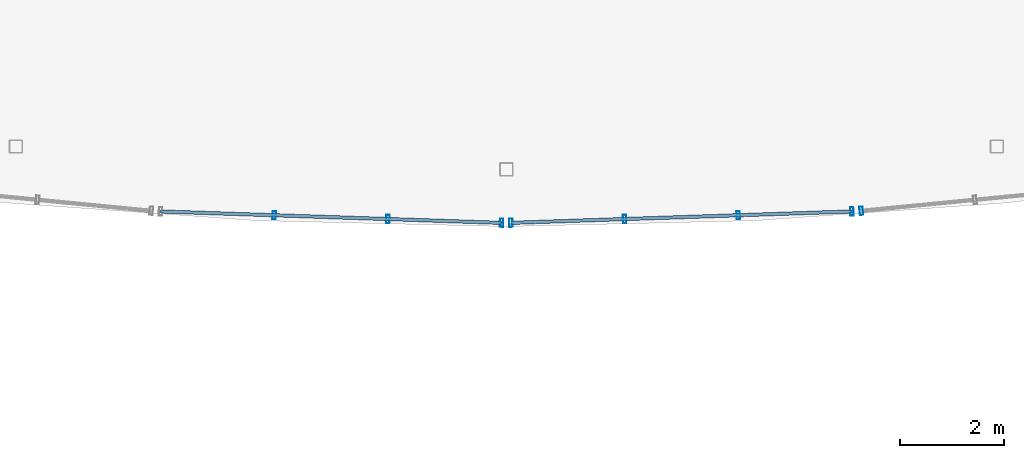
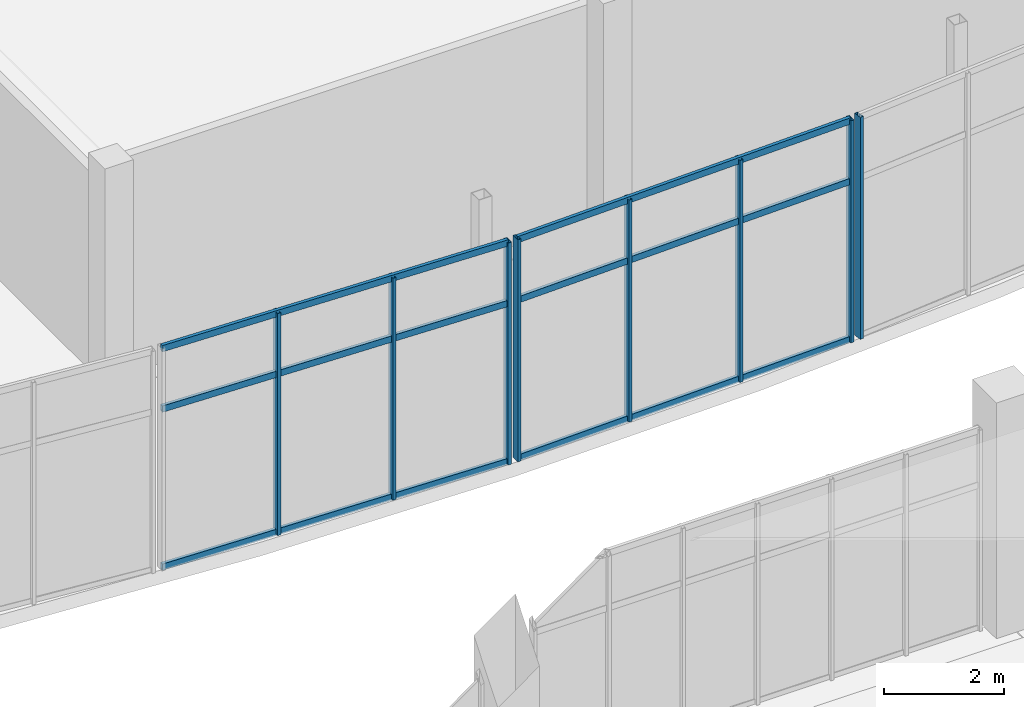
# One storey, part 81 of 157: 14 members, 3 elements without a shape of their own.
"""IFC4 building model written with IfcOpenShell, lengths in metres."""

from ifc_helpers import new_model, si_unit, direction, frame, origin, origin_2d, place, context, subcontext, project, spatial, hollow_rectangle, extrude, material, layer, layer_set, material_profile, profile_set, type_object, element, aggregate, save


model = new_model("IFC4")

# Units and contexts
model_context = context("Model", 3, precision=1e-05, world=origin(), true_north=direction((0.0, 1.0)))
body_context = subcontext(model_context, "Body", "Model", "MODEL_VIEW")
ifc_project = project(units=[si_unit("LENGTHUNIT", "METRE"), si_unit("AREAUNIT", "SQUARE_METRE"), si_unit("VOLUMEUNIT", "CUBIC_METRE"), si_unit("PLANEANGLEUNIT", "RADIAN"), si_unit("MASSUNIT", "GRAM", prefix="KILO")], contexts=[model_context])

# Site, building, storey
site_placement = place(None, origin())
site = spatial("IfcSite", under=ifc_project, at=site_placement, CompositionType="ELEMENT")
building_placement = place(site_placement, origin())
building = spatial("IfcBuilding", under=site, at=building_placement, Name="Chalmorin Arch Market", CompositionType="ELEMENT")
storey_placement = place(building_placement, frame((0.0, 0.0, 4.800048828125)))
storey = spatial("IfcBuildingStorey", under=building, at=storey_placement, Name="L01", CompositionType="ELEMENT", Elevation=4.800048828125)

# Curtain wall, members
ifc_material = material(Name="Aluminium 6063-T6", Category="aluminium")
ifc_layer_1 = layer(ifc_material, 0.159912109375)
ifc_layer_set_1 = layer_set([ifc_layer_1], Name="Aluminium 6063-T6")
curtain_wall_type_1 = type_object("IfcCurtainWallType", Name="CulinaryStudioCurtainWall-CW3-6540x4520", PredefinedType="NOTDEFINED", material=ifc_layer_set_1)
curtain_wall_1_placement = place(storey_placement, origin())
curtain_wall_1 = element("IfcCurtainWall", 1, at=curtain_wall_1_placement, inside=storey, type_object=curtain_wall_type_1, Name="CW-03-162", PredefinedType="NOTDEFINED")
ifc_material_profile_1 = material_profile(ifc_material, hollow_rectangle(XDim=0.06494140625, YDim=0.159912109375, WallThickness=0.00390625, at=origin_2d()), Name="ALU65X160X4")
ifc_profile_set_1 = profile_set([ifc_material_profile_1], Name="Aluminium 6063-T6")
member_type_1 = type_object("IfcMemberType", Name="CurtainWallMullion-65x160", PredefinedType="MULLION", material=ifc_profile_set_1)
member_1_placement = place(storey_placement, frame((77.14990234375, 67.069091796875, 0.0), z_axis=(0.0, 0.0, 1.0), x_axis=(0.999390827019, -0.034899496703, 0.0)))
member_1 = element("IfcMember", 2, at=member_1_placement, type_object=member_type_1, Name="ML-162-02", PredefinedType="MULLION", context=body_context, shape_type="SweptSolid", body=[
    extrude(hollow_rectangle(XDim=0.06494140625, YDim=0.159912109375, WallThickness=0.00390625, at=origin_2d()), origin(), (0.0, 0.0, 1.0), 4.52001953125),
])
member_2_placement = place(storey_placement, frame((79.330078125, 66.99609375, 0.0), z_axis=(0.0, 0.0, 1.0), x_axis=(0.999390827019, -0.034899496703, 0.0)))
member_2 = element("IfcMember", 3, at=member_2_placement, type_object=member_type_1, Name="ML-162-03", PredefinedType="MULLION", context=body_context, shape_type="SweptSolid", body=[
    extrude(hollow_rectangle(XDim=0.06494140625, YDim=0.159912109375, WallThickness=0.00390625, at=origin_2d()), origin(), (0.0, 0.0, 1.0), 4.52001953125),
])
member_3_placement = place(storey_placement, frame((81.510009765625, 66.923095703125, 0.0), z_axis=(0.0, 0.0, 1.0), x_axis=(0.999390827019, -0.034899496703, 0.0)))
member_3 = element("IfcMember", 4, at=member_3_placement, type_object=member_type_1, Name="ML-162-04", PredefinedType="MULLION", context=body_context, shape_type="SweptSolid", body=[
    extrude(hollow_rectangle(XDim=0.06494140625, YDim=0.159912109375, WallThickness=0.00390625, at=origin_2d()), origin(), (0.0, 0.0, 1.0), 4.52001953125),
])

curtain_wall_2_placement = place(storey_placement, origin())
curtain_wall_2 = element("IfcCurtainWall", 5, at=curtain_wall_2_placement, inside=storey, type_object=curtain_wall_type_1, Name="CW-03-165", PredefinedType="NOTDEFINED")
member_4_placement = place(storey_placement, frame((81.68994140625, 66.923095703125, 0.0), z_axis=(0.0, 0.0, 1.0), x_axis=(0.999390827019, 0.034899496703, 0.0)))
member_4 = element("IfcMember", 6, at=member_4_placement, type_object=member_type_1, Name="ML-165-01", PredefinedType="MULLION", context=body_context, shape_type="SweptSolid", body=[
    extrude(hollow_rectangle(XDim=0.06494140625, YDim=0.159912109375, WallThickness=0.00390625, at=origin_2d()), origin(), (0.0, 0.0, 1.0), 4.52001953125),
])
member_5_placement = place(storey_placement, frame((83.8701171875, 66.99609375, 0.0), z_axis=(0.0, 0.0, 1.0), x_axis=(0.999390827019, 0.034899496703, 0.0)))
member_5 = element("IfcMember", 7, at=member_5_placement, type_object=member_type_1, Name="ML-165-02", PredefinedType="MULLION", context=body_context, shape_type="SweptSolid", body=[
    extrude(hollow_rectangle(XDim=0.06494140625, YDim=0.159912109375, WallThickness=0.00390625, at=origin_2d()), origin(), (0.0, 0.0, 1.0), 4.52001953125),
])
member_6_placement = place(storey_placement, frame((86.050048828125, 67.069091796875, 0.0), z_axis=(0.0, 0.0, 1.0), x_axis=(0.999390827019, 0.034899496703, 0.0)))
member_6 = element("IfcMember", 8, at=member_6_placement, type_object=member_type_1, Name="ML-165-03", PredefinedType="MULLION", context=body_context, shape_type="SweptSolid", body=[
    extrude(hollow_rectangle(XDim=0.06494140625, YDim=0.159912109375, WallThickness=0.00390625, at=origin_2d()), origin(), (0.0, 0.0, 1.0), 4.52001953125),
])
member_7_placement = place(storey_placement, frame((88.22998046875, 67.14208984375, 0.0), z_axis=(0.0, 0.0, 1.0), x_axis=(0.999390827019, 0.034899496703, 0.0)))
member_7 = element("IfcMember", 9, at=member_7_placement, type_object=member_type_1, Name="ML-165-04", PredefinedType="MULLION", context=body_context, shape_type="SweptSolid", body=[
    extrude(hollow_rectangle(XDim=0.06494140625, YDim=0.159912109375, WallThickness=0.00390625, at=origin_2d()), origin(), (0.0, 0.0, 1.0), 4.52001953125),
])

# Curtain wall, member
ifc_layer_2 = layer(ifc_material, 0.159912109375)
ifc_layer_set_2 = layer_set([ifc_layer_2], Name="Aluminium 6063-T6")
curtain_wall_type_2 = type_object("IfcCurtainWallType", Name="CulinaryStudioCurtainWall-CW3-6570x4520", PredefinedType="NOTDEFINED", material=ifc_layer_set_2)
curtain_wall_3_placement = place(storey_placement, origin())
curtain_wall_3 = element("IfcCurtainWall", 10, at=curtain_wall_3_placement, inside=storey, type_object=curtain_wall_type_2, Name="CW-03-168", PredefinedType="NOTDEFINED")
member_8_placement = place(storey_placement, frame((88.40966796875, 67.15380859375, 0.0), z_axis=(0.0, 0.0, 1.0), x_axis=(0.994521895368, 0.104528463268, 0.0)))
member_8 = element("IfcMember", 11, at=member_8_placement, type_object=member_type_1, Name="ML-168-01", PredefinedType="MULLION", context=body_context, shape_type="SweptSolid", body=[
    extrude(hollow_rectangle(XDim=0.06494140625, YDim=0.159912109375, WallThickness=0.00390625, at=origin_2d()), origin(), (0.0, 0.0, 1.0), 4.52001953125),
])
aggregate(curtain_wall_3, [member_8])

# Member
ifc_material_profile_2 = material_profile(ifc_material, hollow_rectangle(XDim=0.06494140625, YDim=0.1298828125, WallThickness=0.00390625, at=origin_2d()), Name="ALU65X130X4")
ifc_profile_set_2 = profile_set([ifc_material_profile_2], Name="Aluminium 6063-T6")
member_type_2 = type_object("IfcMemberType", Name="CurtainWallTransom-65x130", PredefinedType="USERDEFINED", material=ifc_profile_set_2)
member_9_placement = place(storey_placement, frame((74.969970703125, 67.14208984375, 0.034912109375), z_axis=(0.999439843627, -0.033466385685, 0.0), x_axis=(0.033466385685, 0.999439843627, 0.0)))
member_9 = element("IfcMember", 12, at=member_9_placement, type_object=member_type_2, Name="TR-162-01", ObjectType="TRANSOM", PredefinedType="USERDEFINED", context=body_context, shape_type="SweptSolid", body=[
    extrude(hollow_rectangle(XDim=0.06494140625, YDim=0.1298828125, WallThickness=0.00390625, at=origin_2d()), origin(), (0.0, 0.0, 1.0), 6.543701171875),
])

member_10_placement = place(storey_placement, frame((74.969970703125, 67.14208984375, 3.25439453125), z_axis=(0.999439843627, -0.033466385685, 0.0), x_axis=(0.033466385685, 0.999439843627, 0.0)))
member_10 = element("IfcMember", 13, at=member_10_placement, type_object=member_type_2, Name="TR-162-02", ObjectType="TRANSOM", PredefinedType="USERDEFINED", context=body_context, shape_type="SweptSolid", body=[
    extrude(hollow_rectangle(XDim=0.06494140625, YDim=0.1298828125, WallThickness=0.00390625, at=origin_2d()), origin(), (0.0, 0.0, 1.0), 6.543701171875),
])

member_11_placement = place(storey_placement, frame((74.969970703125, 67.14208984375, 4.48486328125), z_axis=(0.999439843627, -0.033466385685, 0.0), x_axis=(0.033466385685, 0.999439843627, 0.0)))
member_11 = element("IfcMember", 14, at=member_11_placement, type_object=member_type_2, Name="TR-162-03", ObjectType="TRANSOM", PredefinedType="USERDEFINED", context=body_context, shape_type="SweptSolid", body=[
    extrude(hollow_rectangle(XDim=0.06494140625, YDim=0.1298828125, WallThickness=0.00390625, at=origin_2d()), origin(), (0.0, 0.0, 1.0), 6.543701171875),
])

aggregate(curtain_wall_1, [member_1, member_2, member_3, member_9, member_10, member_11])

member_12_placement = place(storey_placement, frame((81.68994140625, 66.923095703125, 0.034912109375), z_axis=(0.999439843627, 0.033466385685, 0.0), x_axis=(-0.033466385685, 0.999439843627, 0.0)))
member_12 = element("IfcMember", 15, at=member_12_placement, type_object=member_type_2, Name="TR-165-01", ObjectType="TRANSOM", PredefinedType="USERDEFINED", context=body_context, shape_type="SweptSolid", body=[
    extrude(hollow_rectangle(XDim=0.06494140625, YDim=0.1298828125, WallThickness=0.00390625, at=origin_2d()), origin(), (0.0, 0.0, 1.0), 6.543701171875),
])

member_13_placement = place(storey_placement, frame((81.68994140625, 66.923095703125, 3.25439453125), z_axis=(0.999439843627, 0.033466385685, 0.0), x_axis=(-0.033466385685, 0.999439843627, 0.0)))
member_13 = element("IfcMember", 16, at=member_13_placement, type_object=member_type_2, Name="TR-165-02", ObjectType="TRANSOM", PredefinedType="USERDEFINED", context=body_context, shape_type="SweptSolid", body=[
    extrude(hollow_rectangle(XDim=0.06494140625, YDim=0.1298828125, WallThickness=0.00390625, at=origin_2d()), origin(), (0.0, 0.0, 1.0), 6.543701171875),
])

member_14_placement = place(storey_placement, frame((81.68994140625, 66.923095703125, 4.48486328125), z_axis=(0.999439843627, 0.033466385685, 0.0), x_axis=(-0.033466385685, 0.999439843627, 0.0)))
member_14 = element("IfcMember", 17, at=member_14_placement, type_object=member_type_2, Name="TR-165-03", ObjectType="TRANSOM", PredefinedType="USERDEFINED", context=body_context, shape_type="SweptSolid", body=[
    extrude(hollow_rectangle(XDim=0.06494140625, YDim=0.1298828125, WallThickness=0.00390625, at=origin_2d()), origin(), (0.0, 0.0, 1.0), 6.543701171875),
])

aggregate(curtain_wall_2, [member_4, member_5, member_6, member_7, member_12, member_13, member_14])

save(model, "model.ifc")
